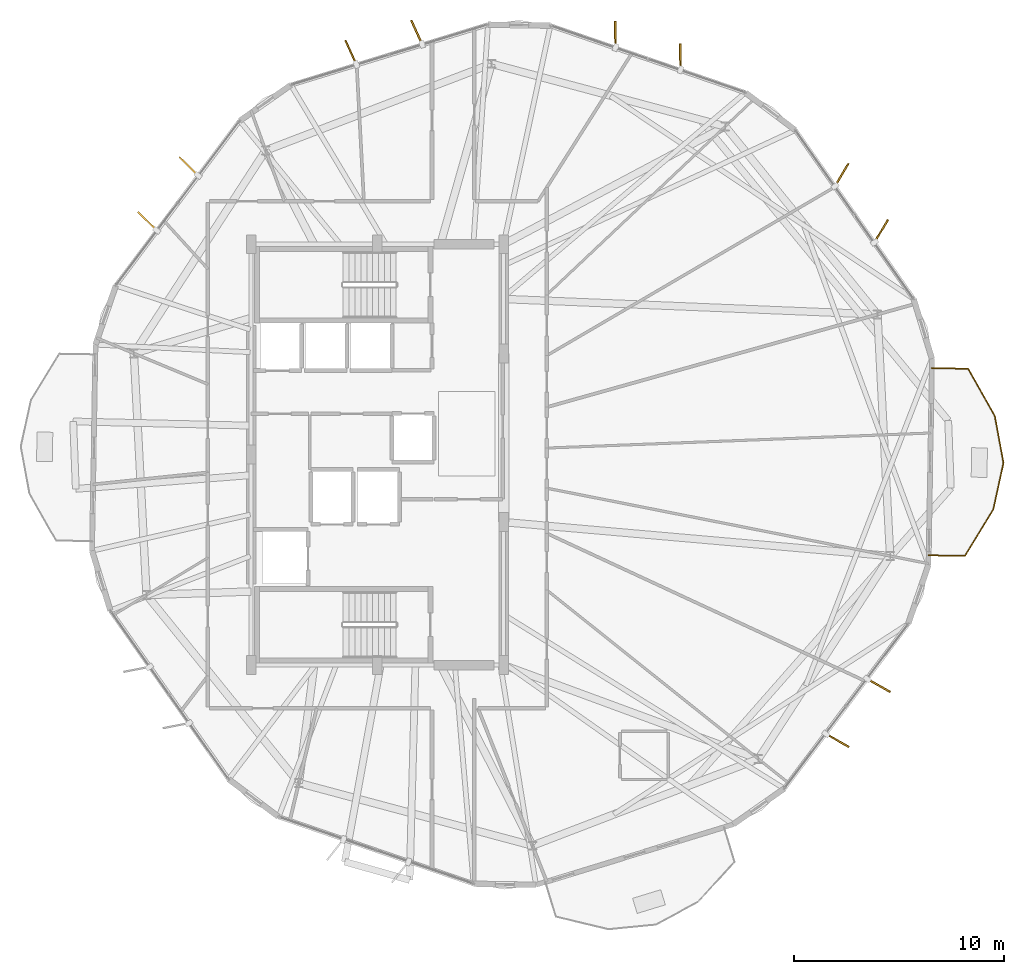
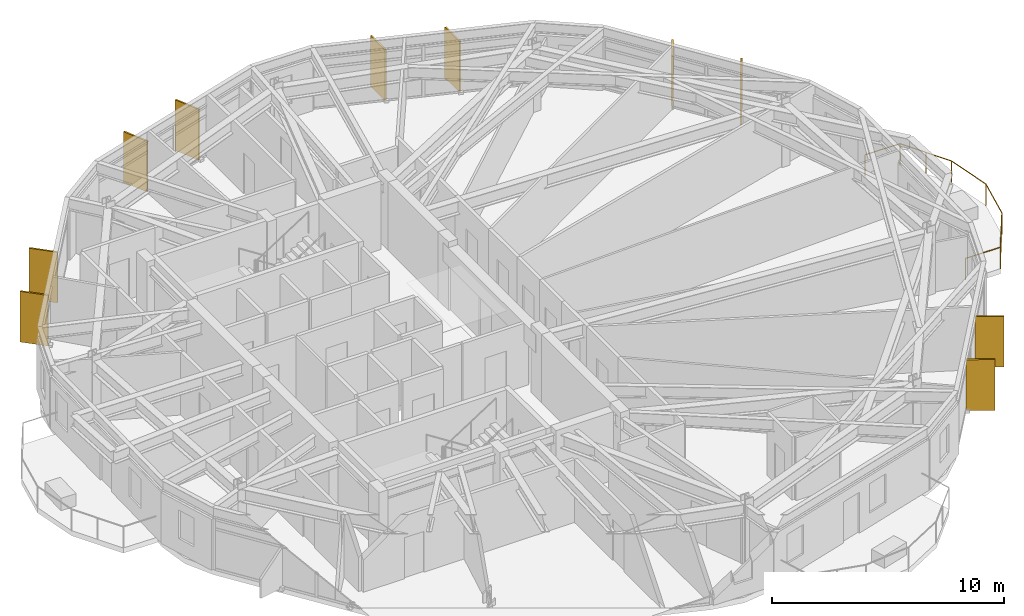
# One storey, part 29 of 29: 10 shading devices, 1 railing.
"""IFC4 building model written with IfcOpenShell, lengths in metres."""

from ifc_helpers import new_model, si_unit, direction, frame, origin, origin_2d, place, context, subcontext, project, spatial, rectangle, circle, extrude, material, layer, layer_set, type_object, element, save


model = new_model("IFC4")

# Units and contexts
model_context = context("Model", 3, precision=1e-05, world=origin(), true_north=direction((0.0, 1.0)))
body_context = subcontext(model_context, "Body", "Model", "MODEL_VIEW")
ifc_project = project(units=[si_unit("LENGTHUNIT", "METRE"), si_unit("AREAUNIT", "SQUARE_METRE"), si_unit("VOLUMEUNIT", "CUBIC_METRE"), si_unit("PLANEANGLEUNIT", "RADIAN"), si_unit("MASSUNIT", "GRAM", prefix="KILO")], contexts=[model_context])

# Site, building, storey
site_placement = place(None, origin())
site = spatial("IfcSite", under=ifc_project, at=site_placement, CompositionType="ELEMENT")
building_placement = place(site_placement, origin())
building = spatial("IfcBuilding", under=site, at=building_placement, Name="Soratama Intermodal Tower", CompositionType="ELEMENT")
storey_placement = place(building_placement, frame((0.0, 0.0, 226.60009765625)))
storey = spatial("IfcBuildingStorey", under=building, at=storey_placement, Name="L57", CompositionType="ELEMENT", Elevation=226.60009765625)

# Railing
ifc_material_1 = material(Name="Laminated glass and stainless steel balustrade", Category="steel")
railing_type = type_object("IfcRailingType", Name="RL-BAL-1150", PredefinedType="BALUSTRADE", material=ifc_material_1)
railing_placement = place(storey_placement, frame((64.948974609375, 29.115234375, 0.0)))
element("IfcRailing", 1, at=railing_placement, inside=storey, type_object=railing_type, Name="L57 Balcony Balustrade 1", PredefinedType="BALUSTRADE", context=body_context, shape_type="SweptSolid", body=[
    extrude(circle(Radius=0.02392578125, at=origin_2d()), frame((0.0, 0.0, 1.1259765625), z_axis=(0.999857330124, -0.016891400097, 0.0), x_axis=(0.016891400097, 0.999857330124, 0.0)), (0.0, 0.0, 1.0), 1.719970703125),
    extrude(circle(Radius=0.02392578125, at=origin_2d()), frame((1.7197265625, -0.029052734375, 1.1259765625), z_axis=(0.493243992904, -0.869891006658, 0.0), x_axis=(0.869891006658, 0.493243992904, 0.0)), (0.0, 0.0, 1.0), 2.581787109375),
    extrude(circle(Radius=0.02392578125, at=origin_2d()), frame((2.9931640625, -2.27490234375, 1.1259765625), z_axis=(0.181384219352, -0.983412306701, 0.0), x_axis=(0.983412306701, 0.181384219352, 0.0)), (0.0, 0.0, 1.0), 2.269287109375),
    extrude(circle(Radius=0.02392578125, at=origin_2d()), frame((3.40478515625, -4.506591796875, 1.1259765625), z_axis=(-0.214309661144, -0.976765769845, 0.0), x_axis=(0.976765769845, -0.214309661144, 0.0)), (0.0, 0.0, 1.0), 2.269287109375),
    extrude(circle(Radius=0.02392578125, at=origin_2d()), frame((2.91845703125, -6.72314453125, 1.1259765625), z_axis=(-0.522054199317, -0.852912312595, 0.0), x_axis=(0.852912312595, -0.522054199317, 0.0)), (0.0, 0.0, 1.0), 2.58203125),
    extrude(circle(Radius=0.02392578125, at=origin_2d()), frame((1.570556640625, -8.92529296875, 1.1259765625), z_axis=(-0.99985971736, 0.016749495549, 0.0), x_axis=(-0.016749495549, -0.99985971736, 0.0)), (0.0, 0.0, 1.0), 1.719970703125),
    extrude(circle(Radius=0.02099609375, at=origin_2d()), origin(), (0.0, 0.0, 1.0), 1.101806640625),
    extrude(circle(Radius=0.02099609375, at=origin_2d()), frame((1.7197265625, -0.029052734375, 0.0)), (0.0, 0.0, 1.0), 1.101806640625),
    extrude(circle(Radius=0.02099609375, at=origin_2d()), frame((2.3564453125, -1.15185546875, 0.0)), (0.0, 0.0, 1.0), 1.101806640625),
    extrude(circle(Radius=0.02099609375, at=origin_2d()), frame((2.9931640625, -2.27490234375, 0.0)), (0.0, 0.0, 1.0), 1.101806640625),
    extrude(circle(Radius=0.02099609375, at=origin_2d()), frame((3.40478515625, -4.506591796875, 0.0)), (0.0, 0.0, 1.0), 1.101806640625),
    extrude(circle(Radius=0.02099609375, at=origin_2d()), frame((2.91845703125, -6.72314453125, 0.0)), (0.0, 0.0, 1.0), 1.101806640625),
    extrude(circle(Radius=0.02099609375, at=origin_2d()), frame((2.24462890625, -7.82421875, 0.0)), (0.0, 0.0, 1.0), 1.101806640625),
    extrude(circle(Radius=0.02099609375, at=origin_2d()), frame((1.570556640625, -8.92529296875, 0.0)), (0.0, 0.0, 1.0), 1.101806640625),
    extrude(circle(Radius=0.02099609375, at=origin_2d()), frame((-0.149169921875, -8.896484375, 0.0)), (0.0, 0.0, 1.0), 1.101806640625),
])

# Shading devices
ifc_material_2 = material(Name="Champagne anodised aluminium solar fin", Category="aluminium")
ifc_layer = layer(ifc_material_2, 0.080078125)
ifc_layer_set = layer_set([ifc_layer], Name="Champagne anodised aluminium solar fin")
shading_device_type = type_object("IfcShadingDeviceType", Name="SH-FIN-1250", PredefinedType="USERDEFINED", material=ifc_layer_set)
for number, where, z_axis, x_axis, name in (
    (2, (52.997314453125, 43.9130859375, 0.02001953125), (0.0, 0.0, 1.0), (-0.00802842831, 0.99996777165, 0.0), "L57 Solar Fin F01-1"),
    (3, (49.90869140625, 44.97412109375, 0.02001953125), (0.0, 0.0, 1.0), (-0.00802842831, 0.99996777165, 0.0), "L57 Solar Fin F01-2"),
    (4, (40.469482421875, 45.070068359375, 0.02001953125), (0.0, 0.0, 1.0), (-0.41405786884, 0.9102505596, 0.0), "L57 Solar Fin F02-1"),
    (5, (37.346923828125, 44.113037109375, 0.02001953125), (0.0, 0.0, 1.0), (-0.41405786884, 0.9102505596, 0.0), "L57 Solar Fin F02-2"),
    (6, (29.637939453125, 38.707275390625, 0.02001953125), (0.0, 0.0, 1.0), (-0.714716864679, 0.699413899879, 0.0), "L57 Solar Fin F03-1"),
    (7, (27.67431640625, 36.09765625, 0.02001953125), (0.0, 0.0, 1.0), (-0.714716864679, 0.699413899879, 0.0), "L57 Solar Fin F03-2"),
    (8, (60.462158203125, 11.42578125, 0.02001953125), (0.0, 0.0, 1.0), (0.87001170737, -0.493031062956, 0.0), "L57 Solar Fin F08-1"),
    (9, (62.42578125, 14.03564453125, 0.02001953125), (0.0, 0.0, 1.0), (0.87001170737, -0.493031062956, 0.0), "L57 Solar Fin F08-2"),
    (10, (62.543701171875, 35.62841796875, 0.02001953125), (0.0, 0.0, 1.0), (0.514439533782, 0.857526656194, 0.0), "L57 Solar Fin F10-1"),
    (11, (60.668701171875, 38.302490234375, 0.02001953125), (0.0, 0.0, 1.0), (0.514439533782, 0.857526656194, 0.0), "L57 Solar Fin F10-2"),
):
    element("IfcShadingDevice", number, at=place(storey_placement, frame(where, z_axis=z_axis, x_axis=x_axis)), inside=storey, type_object=shading_device_type, Name=name, ObjectType="FIN", PredefinedType="USERDEFINED", context=body_context, shape_type="SweptSolid", body=[
        extrude(rectangle(XDim=1.25, YDim=0.080078125, at=origin_2d()), origin(), (0.0, 0.0, 1.0), 2.658935546875),
    ])

save(model, "model.ifc")
